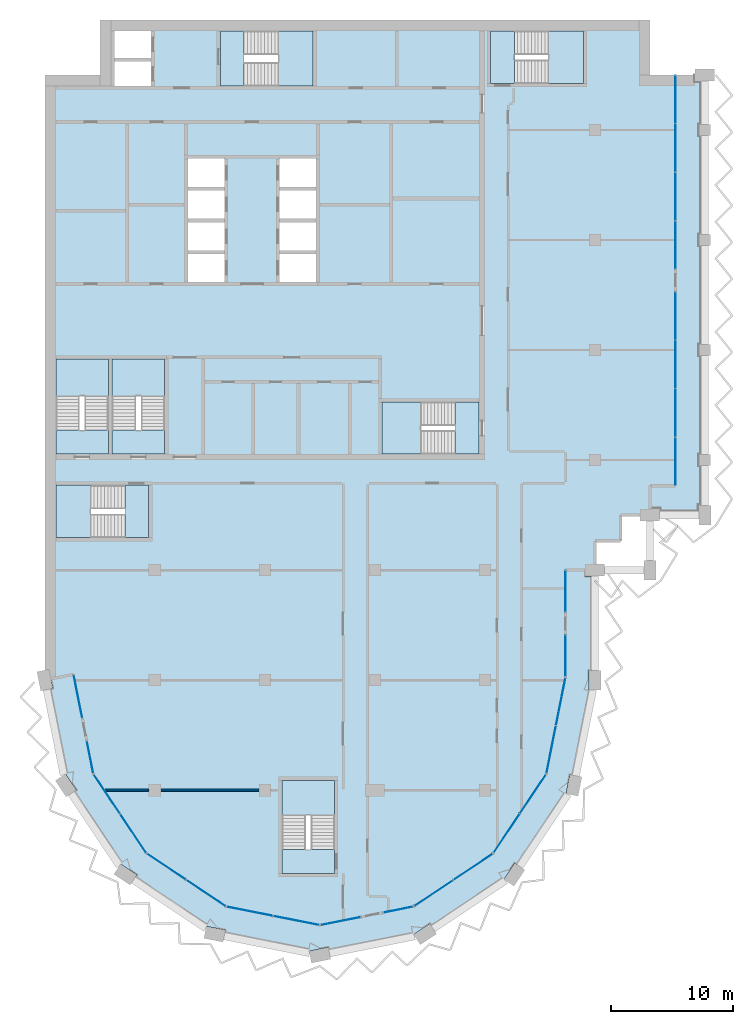
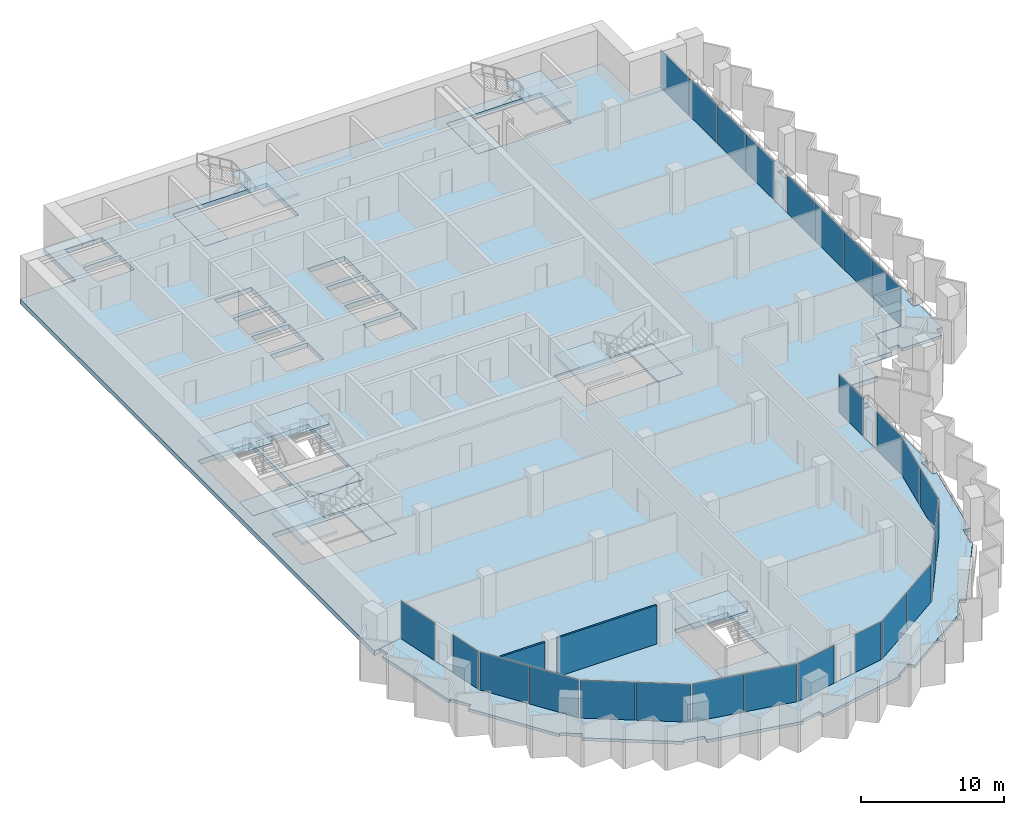
# One storey, part 6 of 16: 26 plates, 17 slabs, 2 walls, 21 elements without a shape of their own.
"""IFC4 building model written with IfcOpenShell, lengths in metres."""

from ifc_helpers import new_model, si_unit, direction, frame, frame_2d, origin, origin_2d, place, context, subcontext, project, spatial, polyline, rectangle, outline, extrude, material, layer, layer_set, type_object, element, aggregate, save


model = new_model("IFC4")

# Units and contexts
model_context = context("Model", 3, precision=1e-05, world=origin(), true_north=direction((0.0, 1.0)))
body_context = subcontext(model_context, "Body", "Model", "MODEL_VIEW")
ifc_project = project(units=[si_unit("LENGTHUNIT", "METRE"), si_unit("AREAUNIT", "SQUARE_METRE"), si_unit("VOLUMEUNIT", "CUBIC_METRE"), si_unit("PLANEANGLEUNIT", "RADIAN"), si_unit("MASSUNIT", "GRAM", prefix="KILO")], contexts=[model_context])

# Site, building, storey
site_placement = place(None, origin())
site = spatial("IfcSite", under=ifc_project, at=site_placement, CompositionType="ELEMENT")
building_placement = place(site_placement, origin())
building = spatial("IfcBuilding", under=site, at=building_placement, Name="Hunhe Ridgeline Campus", CompositionType="ELEMENT")
storey_placement = place(building_placement, frame((0.0, 0.0, 235.5)))
storey = spatial("IfcBuildingStorey", under=building, at=storey_placement, Name="L60", CompositionType="ELEMENT", Elevation=235.5)

# Curtain wall, plate
ifc_material_1 = material(Name="Aluminium 6063", Category="aluminium")
curtain_wall_type_1 = type_object("IfcCurtainWallType", Name="Curtain wall CW-5", PredefinedType="NOTDEFINED", material=ifc_material_1)
curtain_wall_1_placement = place(storey_placement, origin())
curtain_wall_1 = element("IfcCurtainWall", 1, at=curtain_wall_1_placement, inside=storey, type_object=curtain_wall_type_1, Name="Curtain wall 01", PredefinedType="NOTDEFINED")
ifc_material_2 = material(Name="Low-e laminated glass", Category="glass")
ifc_layer_1 = layer(ifc_material_2, 0.028076171875)
ifc_layer_set_1 = layer_set([ifc_layer_1], Name="Curtain wall glass panel 28 low-e laminated")
plate_type = type_object("IfcPlateType", Name="Curtain wall glass panel 28 low-e laminated", PredefinedType="CURTAIN_PANEL", material=ifc_layer_set_1)
plate_1_placement = place(storey_placement, frame((2.7158203125, 43.65380859375, 0.0), z_axis=(0.0, 0.0, 1.0), x_axis=(0.195095326561, -0.980784284924, 0.0)))
plate_1 = element("IfcPlate", 2, at=plate_1_placement, type_object=plate_type, Name="CW-5 panel 1", PredefinedType="CURTAIN_PANEL", context=body_context, shape_type="SweptSolid", body=[
    extrude(rectangle(XDim=3.560791015625, YDim=0.028076171875, at=origin_2d()), origin(), (0.0, 0.0, 1.0), 3.22998046875),
])
aggregate(curtain_wall_1, [plate_1])

curtain_wall_2_placement = place(storey_placement, origin())
curtain_wall_2 = element("IfcCurtainWall", 3, at=curtain_wall_2_placement, inside=storey, type_object=curtain_wall_type_1, Name="Curtain wall 02", PredefinedType="NOTDEFINED")
plate_2_placement = place(storey_placement, frame((3.701171875, 38.699951171875, 0.0), z_axis=(0.0, 0.0, 1.0), x_axis=(0.195095265587, -0.980784297053, 0.0)))
plate_2 = element("IfcPlate", 4, at=plate_2_placement, type_object=plate_type, Name="CW-5 panel 1", PredefinedType="CURTAIN_PANEL", context=body_context, shape_type="SweptSolid", body=[
    extrude(rectangle(XDim=2.660888671875, YDim=0.028076171875, at=origin_2d()), origin(), (0.0, 0.0, 1.0), 3.22998046875),
])
aggregate(curtain_wall_2, [plate_2])

# Curtain wall, plates
curtain_wall_3_placement = place(storey_placement, origin())
curtain_wall_3 = element("IfcCurtainWall", 5, at=curtain_wall_3_placement, inside=storey, type_object=curtain_wall_type_1, Name="Curtain wall 03", PredefinedType="NOTDEFINED")
plate_3_placement = place(storey_placement, frame((5.07080078125, 35.685546875, 0.0), z_axis=(0.0, 0.0, 1.0), x_axis=(0.555570274596, -0.831469584522, 0.0)))
plate_3 = element("IfcPlate", 6, at=plate_3_placement, type_object=plate_type, Name="CW-5 panel 1", PredefinedType="CURTAIN_PANEL", context=body_context, shape_type="SweptSolid", body=[
    extrude(rectangle(XDim=3.806884765625, YDim=0.028076171875, at=origin_2d()), origin(), (0.0, 0.0, 1.0), 3.22998046875),
])
plate_4_placement = place(storey_placement, frame((7.224609375, 32.4619140625, 0.0), z_axis=(0.0, 0.0, 1.0), x_axis=(0.555570274596, -0.831469584522, 0.0)))
plate_4 = element("IfcPlate", 7, at=plate_4_placement, type_object=plate_type, Name="CW-5 panel 2", PredefinedType="CURTAIN_PANEL", context=body_context, shape_type="SweptSolid", body=[
    extrude(rectangle(XDim=3.806884765625, YDim=0.028076171875, at=origin_2d()), origin(), (0.0, 0.0, 1.0), 3.22998046875),
])
aggregate(curtain_wall_3, [plate_3, plate_4])

curtain_wall_4_placement = place(storey_placement, origin())
curtain_wall_4 = element("IfcCurtainWall", 8, at=curtain_wall_4_placement, inside=storey, type_object=curtain_wall_type_1, Name="Curtain wall 04", PredefinedType="NOTDEFINED")
plate_5_placement = place(storey_placement, frame((9.9619140625, 29.724609375, 0.0), z_axis=(0.0, 0.0, 1.0), x_axis=(0.831469584522, -0.555570274596, 0.0)))
plate_5 = element("IfcPlate", 9, at=plate_5_placement, type_object=plate_type, Name="CW-5 panel 1", PredefinedType="CURTAIN_PANEL", context=body_context, shape_type="SweptSolid", body=[
    extrude(rectangle(XDim=3.806884765625, YDim=0.028076171875, at=origin_2d()), origin(), (0.0, 0.0, 1.0), 3.22998046875),
])
plate_6_placement = place(storey_placement, frame((13.185546875, 27.57080078125, 0.0), z_axis=(0.0, 0.0, 1.0), x_axis=(0.831469584522, -0.555570274596, 0.0)))
plate_6 = element("IfcPlate", 10, at=plate_6_placement, type_object=plate_type, Name="CW-5 panel 2", PredefinedType="CURTAIN_PANEL", context=body_context, shape_type="SweptSolid", body=[
    extrude(rectangle(XDim=3.806884765625, YDim=0.028076171875, at=origin_2d()), origin(), (0.0, 0.0, 1.0), 3.22998046875),
])
aggregate(curtain_wall_4, [plate_5, plate_6])

curtain_wall_5_placement = place(storey_placement, origin())
curtain_wall_5 = element("IfcCurtainWall", 11, at=curtain_wall_5_placement, inside=storey, type_object=curtain_wall_type_1, Name="Curtain wall 05", PredefinedType="NOTDEFINED")
plate_7_placement = place(storey_placement, frame((16.761962890625, 26.08935546875, 0.0), z_axis=(0.0, 0.0, 1.0), x_axis=(0.980785275326, -0.195090347539, 0.0)))
plate_7 = element("IfcPlate", 12, at=plate_7_placement, type_object=plate_type, Name="CW-5 panel 1", PredefinedType="CURTAIN_PANEL", context=body_context, shape_type="SweptSolid", body=[
    extrude(rectangle(XDim=3.806884765625, YDim=0.028076171875, at=origin_2d()), origin(), (0.0, 0.0, 1.0), 3.22998046875),
])
plate_8_placement = place(storey_placement, frame((20.564453125, 25.3330078125, 0.0), z_axis=(0.0, 0.0, 1.0), x_axis=(0.980785275326, -0.195090347539, 0.0)))
plate_8 = element("IfcPlate", 13, at=plate_8_placement, type_object=plate_type, Name="CW-5 panel 2", PredefinedType="CURTAIN_PANEL", context=body_context, shape_type="SweptSolid", body=[
    extrude(rectangle(XDim=3.806884765625, YDim=0.028076171875, at=origin_2d()), origin(), (0.0, 0.0, 1.0), 3.22998046875),
])
aggregate(curtain_wall_5, [plate_7, plate_8])

# Curtain wall, plate
curtain_wall_6_placement = place(storey_placement, origin())
curtain_wall_6 = element("IfcCurtainWall", 14, at=curtain_wall_6_placement, inside=storey, type_object=curtain_wall_type_1, Name="Curtain wall 06", PredefinedType="NOTDEFINED")
plate_9_placement = place(storey_placement, frame((24.19775390625, 25.28564453125, 0.0), z_axis=(0.0, 0.0, 1.0), x_axis=(0.980785270791, 0.19509037034, 0.0)))
plate_9 = element("IfcPlate", 15, at=plate_9_placement, type_object=plate_type, Name="CW-5 panel 1", PredefinedType="CURTAIN_PANEL", context=body_context, shape_type="SweptSolid", body=[
    extrude(rectangle(XDim=3.322021484375, YDim=0.028076171875, at=origin_2d()), origin(), (0.0, 0.0, 1.0), 3.22998046875),
])
aggregate(curtain_wall_6, [plate_9])

curtain_wall_7_placement = place(storey_placement, origin())
curtain_wall_7 = element("IfcCurtainWall", 16, at=curtain_wall_7_placement, inside=storey, type_object=curtain_wall_type_1, Name="Curtain wall 07", PredefinedType="NOTDEFINED")
plate_10_placement = place(storey_placement, frame((28.917236328125, 26.224609375, 0.0), z_axis=(0.0, 0.0, 1.0), x_axis=(0.980785242091, 0.195090514627, 0.0)))
plate_10 = element("IfcPlate", 17, at=plate_10_placement, type_object=plate_type, Name="CW-5 panel 1", PredefinedType="CURTAIN_PANEL", context=body_context, shape_type="SweptSolid", body=[
    extrude(rectangle(XDim=2.421875, YDim=0.028076171875, at=origin_2d()), origin(), (0.0, 0.0, 1.0), 3.22998046875),
])
aggregate(curtain_wall_7, [plate_10])

# Curtain wall, plates
curtain_wall_8_placement = place(storey_placement, origin())
curtain_wall_8 = element("IfcCurtainWall", 18, at=curtain_wall_8_placement, inside=storey, type_object=curtain_wall_type_1, Name="Curtain wall 08", PredefinedType="NOTDEFINED")
plate_11_placement = place(storey_placement, frame((31.814453125, 27.57080078125, 0.0), z_axis=(0.0, 0.0, 1.0), x_axis=(0.831469584522, 0.555570274596, 0.0)))
plate_11 = element("IfcPlate", 19, at=plate_11_placement, type_object=plate_type, Name="CW-5 panel 1", PredefinedType="CURTAIN_PANEL", context=body_context, shape_type="SweptSolid", body=[
    extrude(rectangle(XDim=3.806884765625, YDim=0.028076171875, at=origin_2d()), origin(), (0.0, 0.0, 1.0), 3.22998046875),
])
plate_12_placement = place(storey_placement, frame((35.0380859375, 29.724609375, 0.0), z_axis=(0.0, 0.0, 1.0), x_axis=(0.831469584522, 0.555570274596, 0.0)))
plate_12 = element("IfcPlate", 20, at=plate_12_placement, type_object=plate_type, Name="CW-5 panel 2", PredefinedType="CURTAIN_PANEL", context=body_context, shape_type="SweptSolid", body=[
    extrude(rectangle(XDim=3.806884765625, YDim=0.028076171875, at=origin_2d()), origin(), (0.0, 0.0, 1.0), 3.22998046875),
])
aggregate(curtain_wall_8, [plate_11, plate_12])

curtain_wall_9_placement = place(storey_placement, origin())
curtain_wall_9 = element("IfcCurtainWall", 21, at=curtain_wall_9_placement, inside=storey, type_object=curtain_wall_type_1, Name="Curtain wall 09", PredefinedType="NOTDEFINED")
plate_13_placement = place(storey_placement, frame((37.775390625, 32.4619140625, 0.0), z_axis=(0.0, 0.0, 1.0), x_axis=(0.555570274596, 0.831469584522, 0.0)))
plate_13 = element("IfcPlate", 22, at=plate_13_placement, type_object=plate_type, Name="CW-5 panel 1", PredefinedType="CURTAIN_PANEL", context=body_context, shape_type="SweptSolid", body=[
    extrude(rectangle(XDim=3.806884765625, YDim=0.028076171875, at=origin_2d()), origin(), (0.0, 0.0, 1.0), 3.22998046875),
])
plate_14_placement = place(storey_placement, frame((39.92919921875, 35.685546875, 0.0), z_axis=(0.0, 0.0, 1.0), x_axis=(0.555570274596, 0.831469584522, 0.0)))
plate_14 = element("IfcPlate", 23, at=plate_14_placement, type_object=plate_type, Name="CW-5 panel 2", PredefinedType="CURTAIN_PANEL", context=body_context, shape_type="SweptSolid", body=[
    extrude(rectangle(XDim=3.806884765625, YDim=0.028076171875, at=origin_2d()), origin(), (0.0, 0.0, 1.0), 3.22998046875),
])
aggregate(curtain_wall_9, [plate_13, plate_14])

curtain_wall_10_placement = place(storey_placement, origin())
curtain_wall_10 = element("IfcCurtainWall", 24, at=curtain_wall_10_placement, inside=storey, type_object=curtain_wall_type_1, Name="Curtain wall 10", PredefinedType="NOTDEFINED")
plate_15_placement = place(storey_placement, frame((41.42236328125, 39.321044921875, 0.0), z_axis=(0.0, 0.0, 1.0), x_axis=(0.195090299215, 0.980785284939, 0.0)))
plate_15 = element("IfcPlate", 25, at=plate_15_placement, type_object=plate_type, Name="CW-5 panel 1", PredefinedType="CURTAIN_PANEL", context=body_context, shape_type="SweptSolid", body=[
    extrude(rectangle(XDim=3.927490234375, YDim=0.028076171875, at=origin_2d()), origin(), (0.0, 0.0, 1.0), 3.22998046875),
])
plate_16_placement = place(storey_placement, frame((42.2021484375, 43.24169921875, 0.0), z_axis=(0.0, 0.0, 1.0), x_axis=(0.195090299215, 0.980785284939, 0.0)))
plate_16 = element("IfcPlate", 26, at=plate_16_placement, type_object=plate_type, Name="CW-5 panel 2", PredefinedType="CURTAIN_PANEL", context=body_context, shape_type="SweptSolid", body=[
    extrude(rectangle(XDim=3.927490234375, YDim=0.028076171875, at=origin_2d()), origin(), (0.0, 0.0, 1.0), 3.22998046875),
])
aggregate(curtain_wall_10, [plate_15, plate_16])

# Curtain wall, plate
curtain_wall_type_2 = type_object("IfcCurtainWallType", Name="Curtain wall CW-1", PredefinedType="NOTDEFINED", material=ifc_material_1)
curtain_wall_11_placement = place(storey_placement, origin())
curtain_wall_11 = element("IfcCurtainWall", 27, at=curtain_wall_11_placement, inside=storey, type_object=curtain_wall_type_2, Name="Curtain wall 11", PredefinedType="NOTDEFINED")
plate_17_placement = place(storey_placement, frame((42.59912109375, 46.9775390625, 0.0), z_axis=(0.0, 0.0, 1.0), x_axis=(1.9241592e-05, 0.999999999815, 0.0)))
plate_17 = element("IfcPlate", 28, at=plate_17_placement, type_object=plate_type, Name="CW-1 panel 1", PredefinedType="CURTAIN_PANEL", context=body_context, shape_type="SweptSolid", body=[
    extrude(rectangle(XDim=3.362060546875, YDim=0.028076171875, at=origin_2d()), origin(), (0.0, 0.0, 1.0), 3.239990234375),
])
aggregate(curtain_wall_11, [plate_17])

curtain_wall_12_placement = place(storey_placement, origin())
curtain_wall_12 = element("IfcCurtainWall", 29, at=curtain_wall_12_placement, inside=storey, type_object=curtain_wall_type_2, Name="Curtain wall 12", PredefinedType="NOTDEFINED")
plate_18_placement = place(storey_placement, frame((42.59912109375, 52.259521484375, 0.0), z_axis=(0.0, 0.0, 1.0), x_axis=(1.9241592e-05, 0.999999999815, 0.0)))
plate_18 = element("IfcPlate", 30, at=plate_18_placement, type_object=plate_type, Name="CW-1 panel 1", PredefinedType="CURTAIN_PANEL", context=body_context, shape_type="SweptSolid", body=[
    extrude(rectangle(XDim=3.362060546875, YDim=0.028076171875, at=origin_2d()), origin(), (0.0, 0.0, 1.0), 3.239990234375),
])
aggregate(curtain_wall_12, [plate_18])

# Curtain wall, plates
curtain_wall_13_placement = place(storey_placement, origin())
curtain_wall_13 = element("IfcCurtainWall", 31, at=curtain_wall_13_placement, inside=storey, type_object=curtain_wall_type_2, Name="Curtain wall 13", PredefinedType="NOTDEFINED")
plate_19_placement = place(storey_placement, frame((51.59912109375, 62.9033203125, 0.0), z_axis=(0.0, 0.0, 1.0), x_axis=(0.0, 1.0, 0.0)))
plate_19 = element("IfcPlate", 32, at=plate_19_placement, type_object=plate_type, Name="CW-1 panel 1", PredefinedType="CURTAIN_PANEL", context=body_context, shape_type="SweptSolid", body=[
    extrude(rectangle(XDim=3.884765625, YDim=0.028076171875, at=origin_2d()), origin(), (0.0, 0.0, 1.0), 3.239990234375),
])
plate_20_placement = place(storey_placement, frame((51.59912109375, 66.86328125, 0.0), z_axis=(0.0, 0.0, 1.0), x_axis=(0.0, 1.0, 0.0)))
plate_20 = element("IfcPlate", 33, at=plate_20_placement, type_object=plate_type, Name="CW-1 panel 2", PredefinedType="CURTAIN_PANEL", context=body_context, shape_type="SweptSolid", body=[
    extrude(rectangle(XDim=3.914794921875, YDim=0.028076171875, at=origin_2d()), origin(), (0.0, 0.0, 1.0), 3.239990234375),
])
plate_21_placement = place(storey_placement, frame((51.59912109375, 70.838134765625, 0.0), z_axis=(0.0, 0.0, 1.0), x_axis=(0.0, 1.0, 0.0)))
plate_21 = element("IfcPlate", 34, at=plate_21_placement, type_object=plate_type, Name="CW-1 panel 3", PredefinedType="CURTAIN_PANEL", context=body_context, shape_type="SweptSolid", body=[
    extrude(rectangle(XDim=3.914794921875, YDim=0.028076171875, at=origin_2d()), origin(), (0.0, 0.0, 1.0), 3.239990234375),
])
plate_22_placement = place(storey_placement, frame((51.59912109375, 74.798095703125, 0.0), z_axis=(0.0, 0.0, 1.0), x_axis=(0.0, 1.0, 0.0)))
plate_22 = element("IfcPlate", 35, at=plate_22_placement, type_object=plate_type, Name="CW-1 panel 4", PredefinedType="CURTAIN_PANEL", context=body_context, shape_type="SweptSolid", body=[
    extrude(rectangle(XDim=3.884765625, YDim=0.028076171875, at=origin_2d()), origin(), (0.0, 0.0, 1.0), 3.239990234375),
])
aggregate(curtain_wall_13, [plate_19, plate_20, plate_21, plate_22])

curtain_wall_14_placement = place(storey_placement, origin())
curtain_wall_14 = element("IfcCurtainWall", 36, at=curtain_wall_14_placement, inside=storey, type_object=curtain_wall_type_2, Name="Curtain wall 14", PredefinedType="NOTDEFINED")
plate_23_placement = place(storey_placement, frame((51.59912109375, 80.60302734375, 0.0), z_axis=(0.0, 0.0, 1.0), x_axis=(0.0, 1.0, 0.0)))
plate_23 = element("IfcPlate", 37, at=plate_23_placement, type_object=plate_type, Name="CW-1 panel 1", PredefinedType="CURTAIN_PANEL", context=body_context, shape_type="SweptSolid", body=[
    extrude(rectangle(XDim=3.884765625, YDim=0.028076171875, at=origin_2d()), origin(), (0.0, 0.0, 1.0), 3.239990234375),
])
plate_24_placement = place(storey_placement, frame((51.59912109375, 84.562744140625, 0.0), z_axis=(0.0, 0.0, 1.0), x_axis=(0.0, 1.0, 0.0)))
plate_24 = element("IfcPlate", 38, at=plate_24_placement, type_object=plate_type, Name="CW-1 panel 2", PredefinedType="CURTAIN_PANEL", context=body_context, shape_type="SweptSolid", body=[
    extrude(rectangle(XDim=3.914794921875, YDim=0.028076171875, at=origin_2d()), origin(), (0.0, 0.0, 1.0), 3.239990234375),
])
plate_25_placement = place(storey_placement, frame((51.59912109375, 88.53759765625, 0.0), z_axis=(0.0, 0.0, 1.0), x_axis=(0.0, 1.0, 0.0)))
plate_25 = element("IfcPlate", 39, at=plate_25_placement, type_object=plate_type, Name="CW-1 panel 3", PredefinedType="CURTAIN_PANEL", context=body_context, shape_type="SweptSolid", body=[
    extrude(rectangle(XDim=3.914794921875, YDim=0.028076171875, at=origin_2d()), origin(), (0.0, 0.0, 1.0), 3.239990234375),
])
plate_26_placement = place(storey_placement, frame((51.59912109375, 92.49755859375, 0.0), z_axis=(0.0, 0.0, 1.0), x_axis=(0.0, 1.0, 0.0)))
plate_26 = element("IfcPlate", 40, at=plate_26_placement, type_object=plate_type, Name="CW-1 panel 4", PredefinedType="CURTAIN_PANEL", context=body_context, shape_type="SweptSolid", body=[
    extrude(rectangle(XDim=3.884765625, YDim=0.028076171875, at=origin_2d()), origin(), (0.0, 0.0, 1.0), 3.239990234375),
])
aggregate(curtain_wall_14, [plate_23, plate_24, plate_25, plate_26])

# Slabs
ifc_material_3 = material(Name="Concrete C40", Category="concrete")
ifc_layer_2 = layer(ifc_material_3, 0.39990234375)
ifc_layer_set_2 = layer_set([ifc_layer_2], Name="Floor slab 400 Concrete C40")
slab_type_1 = type_object("IfcSlabType", Name="Floor slab 400 Concrete C40", PredefinedType="FLOOR", material=ifc_layer_set_2)
slab_1_placement = place(storey_placement, frame((0.0, 0.0, -0.39990234375)))
element("IfcSlab", 41, at=slab_1_placement, inside=storey, type_object=slab_type_1, Name="Floor slab L60 1", PredefinedType="FLOOR", context=body_context, shape_type="SweptSolid", body=[
    extrude(outline(polyline([(36.678955078125, 30.821044921875), (41.025634765625, 37.326416015625), (42.59912109375, 45.236572265625), (42.59912109375, 54.00048828125), (44.9990234375, 54.0009765625), (44.999267578125, 56.400634765625), (47.09912109375, 56.40087890625), (47.099609375, 58.5009765625), (49.4990234375, 58.5009765625), (49.49951171875, 60.90087890625), (51.59912109375, 60.90087890625), (51.59912109375, 94.5), (49.5, 94.5), (49.5, 99.0), (4.5, 99.0), (4.5, 94.5), (0.0, 94.5), (0.0, 45.0009765625), (2.354736328125, 45.46875), (3.974365234375, 37.326416015625), (8.321044921875, 30.821044921875), (14.826416015625, 26.474365234375), (22.5, 24.947998046875), (30.173583984375, 26.474365234375), (36.678955078125, 30.821044921875)]), holes=[polyline([(36.449951171875, 98.10009765625), (36.449951171875, 93.800048828125), (44.050048828125, 93.800048828125), (44.050048828125, 98.10009765625), (36.449951171875, 98.10009765625)]), polyline([(27.60009765625, 63.5), (35.5, 63.5), (35.5, 67.75), (27.60009765625, 67.75), (27.60009765625, 63.5)]), polyline([(19.39990234375, 36.800048828125), (19.39990234375, 29.199951171875), (23.699951171875, 29.199951171875), (23.699951171875, 36.800048828125), (19.39990234375, 36.800048828125)]), polyline([(22.199951171875, 87.64990234375), (19.199951171875, 87.64990234375), (19.199951171875, 85.35009765625), (22.199951171875, 85.35009765625), (22.199951171875, 87.64990234375)]), polyline([(22.199951171875, 77.550048828125), (22.199951171875, 79.85009765625), (19.199951171875, 79.85009765625), (19.199951171875, 77.550048828125), (22.199951171875, 77.550048828125)]), polyline([(19.199951171875, 85.050048828125), (19.199951171875, 82.75), (22.199951171875, 82.75), (22.199951171875, 85.050048828125), (19.199951171875, 85.050048828125)]), polyline([(19.199951171875, 80.14990234375), (22.199951171875, 80.14990234375), (22.199951171875, 82.449951171875), (19.199951171875, 82.449951171875), (19.199951171875, 80.14990234375)]), polyline([(14.35009765625, 98.10009765625), (14.35009765625, 93.60009765625), (21.949951171875, 93.60009765625), (21.949951171875, 98.10009765625), (14.35009765625, 98.10009765625)]), polyline([(14.699951171875, 87.64990234375), (11.699951171875, 87.64990234375), (11.699951171875, 85.35009765625), (14.699951171875, 85.35009765625), (14.699951171875, 87.64990234375)]), polyline([(14.699951171875, 77.550048828125), (14.699951171875, 79.85009765625), (11.699951171875, 79.85009765625), (11.699951171875, 77.550048828125), (14.699951171875, 77.550048828125)]), polyline([(11.699951171875, 85.050048828125), (11.699951171875, 82.75), (14.699951171875, 82.75), (14.699951171875, 85.050048828125), (11.699951171875, 85.050048828125)]), polyline([(11.699951171875, 80.14990234375), (14.699951171875, 80.14990234375), (14.699951171875, 82.449951171875), (11.699951171875, 82.449951171875), (11.699951171875, 80.14990234375)]), polyline([(9.800048828125, 63.5), (9.800048828125, 71.25), (5.5, 71.25), (5.5, 63.5), (9.800048828125, 63.5)]), polyline([(8.699951171875, 93.60009765625), (8.699951171875, 95.60009765625), (5.699951171875, 95.60009765625), (5.699951171875, 93.60009765625), (8.699951171875, 93.60009765625)]), polyline([(5.699951171875, 95.89990234375), (8.699951171875, 95.89990234375), (8.699951171875, 98.10009765625), (5.699951171875, 98.10009765625), (5.699951171875, 95.89990234375)]), polyline([(0.89990234375, 60.949951171875), (0.89990234375, 56.64990234375), (8.5, 56.64990234375), (8.5, 60.949951171875), (0.89990234375, 60.949951171875)]), polyline([(5.199951171875, 71.25), (0.89990234375, 71.25), (0.89990234375, 63.5), (5.199951171875, 63.5), (5.199951171875, 71.25)])]), origin(), (0.0, 0.0, 1.0), 0.39990234375),
])
ifc_layer_3 = layer(ifc_material_3, 0.25)
ifc_layer_set_3 = layer_set([ifc_layer_3], Name="Loggia slab 250 Concrete C40")
slab_type_2 = type_object("IfcSlabType", Name="Loggia slab 250 Concrete C40", PredefinedType="FLOOR", material=ifc_layer_set_3)
slab_2_placement = place(storey_placement, frame((0.0, 0.0, -0.25)))
element("IfcSlab", 42, at=slab_2_placement, inside=storey, type_object=slab_type_2, Name="Loggia slab 1", PredefinedType="FLOOR", context=body_context, shape_type="SweptSolid", body=[
    extrude(outline(polyline([(30.173828125, 26.473388671875), (22.5, 24.947021484375), (14.826171875, 26.473388671875), (8.3203125, 30.8203125), (3.973388671875, 37.326171875), (2.35400390625, 45.46826171875), (0.490478515625, 45.09765625), (0.646484375, 44.31298828125), (0.156005859375, 44.21533203125), (1.543701171875, 37.239013671875), (1.68408203125, 37.33251953125), (2.572998046875, 36.002197265625), (2.1572265625, 35.724365234375), (6.109130859375, 29.81005859375), (6.20263671875, 29.9501953125), (7.532958984375, 29.061279296875), (7.25537109375, 28.645751953125), (13.169677734375, 24.69384765625), (13.20263671875, 24.859130859375), (14.771728515625, 24.547119140625), (14.67431640625, 24.056640625), (21.650634765625, 22.6689453125), (21.617919921875, 22.834228515625), (23.18701171875, 23.146484375), (23.28466796875, 22.656005859375), (30.260986328125, 24.043701171875), (30.16748046875, 24.18408203125), (31.497802734375, 25.072998046875), (31.775634765625, 24.6572265625), (37.68994140625, 28.609130859375), (37.5498046875, 28.70263671875), (38.438720703125, 30.032958984375), (38.854248046875, 29.75537109375), (42.80615234375, 35.669677734375), (42.640869140625, 35.70263671875), (42.952880859375, 37.271728515625), (43.443359375, 37.17431640625), (44.8408203125, 44.199951171875), (44.5, 44.199951171875), (44.5, 45.800048828125), (45.0, 45.800048828125), (45.0, 53.5), (44.199951171875, 53.5), (44.199951171875, 54.0), (42.60009765625, 54.0), (42.60009765625, 45.236328125), (41.026611328125, 37.326171875), (36.6796875, 30.8203125), (30.173828125, 26.473388671875)])), origin(), (0.0, 0.0, 1.0), 0.25),
])
slab_3_placement = place(storey_placement, frame((0.0, 0.0, -0.25)))
element("IfcSlab", 43, at=slab_3_placement, inside=storey, type_object=slab_type_2, Name="Loggia slab 2", PredefinedType="FLOOR", context=body_context, shape_type="SweptSolid", body=[
    extrude(outline(polyline([(49.5, 59.0), (50.300048828125, 59.0), (50.300048828125, 58.5), (53.5, 58.5), (53.5, 59.300048828125), (54.0, 59.300048828125), (54.0, 62.550048828125), (53.550048828125, 62.550048828125), (53.550048828125, 63.449951171875), (54.0, 63.449951171875), (54.0, 71.550048828125), (53.550048828125, 71.550048828125), (53.550048828125, 72.449951171875), (54.0, 72.449951171875), (54.0, 80.550048828125), (53.550048828125, 80.550048828125), (53.550048828125, 81.449951171875), (54.0, 81.449951171875), (54.0, 89.550048828125), (53.550048828125, 89.550048828125), (53.550048828125, 90.449951171875), (54.0, 90.449951171875), (54.0, 94.0), (53.199951171875, 94.0), (53.199951171875, 94.5), (51.60009765625, 94.5), (51.60009765625, 60.89990234375), (49.5, 60.89990234375), (49.5, 59.0)])), origin(), (0.0, 0.0, 1.0), 0.25),
])

# Stair, slab
stair_type = type_object("IfcStairType", Name="Reinforced concrete dog-leg stair 1950 Concrete C40", PredefinedType="HALF_TURN_STAIR", material=ifc_material_3)
stair_1_placement = place(storey_placement, origin())
stair_1 = element("IfcStair", 44, at=stair_1_placement, inside=storey, type_object=stair_type, Name="L60 S1", PredefinedType="HALF_TURN_STAIR")
ifc_layer_4 = layer(ifc_material_3, 0.199951171875)
ifc_layer_set_4 = layer_set([ifc_layer_4], Name="Reinforced concrete stair landing 200 Concrete C40")
slab_type_3 = type_object("IfcSlabType", Name="Reinforced concrete stair landing 200 Concrete C40", PredefinedType="LANDING", material=ifc_layer_set_4)
slab_4_placement = place(storey_placement, frame((0.0, 0.0, 1.64990234375)))
slab_4 = element("IfcSlab", 45, at=slab_4_placement, type_object=slab_type_3, Name="ST1 landing 1", PredefinedType="LANDING", context=body_context, shape_type="SweptSolid", body=[
    extrude(outline(polyline([(19.10009765625, 93.60009765625), (21.949951171875, 93.60009765625), (21.949951171875, 98.10009765625), (19.10009765625, 98.10009765625), (19.10009765625, 93.60009765625)])), origin(), (0.0, 0.0, 1.0), 0.2001953125),
])
aggregate(stair_1, [slab_4])

# Slab
slab_5_placement = place(storey_placement, frame((0.0, 0.0, -0.199951171875)))
element("IfcSlab", 46, at=slab_5_placement, inside=storey, type_object=slab_type_3, Name="L60 stair S1 floor landing", PredefinedType="LANDING", context=body_context, shape_type="SweptSolid", body=[
    extrude(outline(polyline([(14.35009765625, 93.60009765625), (16.300048828125, 93.60009765625), (16.300048828125, 98.10009765625), (14.35009765625, 98.10009765625), (14.35009765625, 93.60009765625)])), origin(), (0.0, 0.0, 1.0), 0.199951171875),
])

# Stair, slab
stair_2_placement = place(storey_placement, origin())
stair_2 = element("IfcStair", 47, at=stair_2_placement, inside=storey, type_object=stair_type, Name="L60 S2", PredefinedType="HALF_TURN_STAIR")
slab_6_placement = place(storey_placement, frame((0.0, 0.0, 1.64990234375)))
slab_6 = element("IfcSlab", 48, at=slab_6_placement, type_object=slab_type_3, Name="ST2 landing 1", PredefinedType="LANDING", context=body_context, shape_type="SweptSolid", body=[
    extrude(outline(polyline([(30.75, 67.75), (27.60009765625, 67.75), (27.60009765625, 63.5), (30.75, 63.5), (30.75, 67.75)])), origin(), (0.0, 0.0, 1.0), 0.2001953125),
])
aggregate(stair_2, [slab_6])

# Slab
slab_7_placement = place(storey_placement, frame((0.0, 0.0, -0.199951171875)))
element("IfcSlab", 49, at=slab_7_placement, inside=storey, type_object=slab_type_3, Name="L60 stair S2 floor landing", PredefinedType="LANDING", context=body_context, shape_type="SweptSolid", body=[
    extrude(outline(polyline([(35.5, 67.75), (33.550048828125, 67.75), (33.550048828125, 63.5), (35.5, 63.5), (35.5, 67.75)])), origin(), (0.0, 0.0, 1.0), 0.199951171875),
])

# Stair, slab
stair_3_placement = place(storey_placement, origin())
stair_3 = element("IfcStair", 50, at=stair_3_placement, inside=storey, type_object=stair_type, Name="L60 S3", PredefinedType="HALF_TURN_STAIR")
slab_8_placement = place(storey_placement, frame((0.0, 0.0, 1.64990234375)))
slab_8 = element("IfcSlab", 51, at=slab_8_placement, type_object=slab_type_3, Name="ST3 landing 1", PredefinedType="LANDING", context=body_context, shape_type="SweptSolid", body=[
    extrude(outline(polyline([(5.199951171875, 68.25), (5.199951171875, 71.25), (0.89990234375, 71.25), (0.89990234375, 68.25), (5.199951171875, 68.25)])), origin(), (0.0, 0.0, 1.0), 0.2001953125),
])
aggregate(stair_3, [slab_8])

# Slab
slab_9_placement = place(storey_placement, frame((0.0, 0.0, -0.199951171875)))
element("IfcSlab", 52, at=slab_9_placement, inside=storey, type_object=slab_type_3, Name="L60 stair S3 floor landing", PredefinedType="LANDING", context=body_context, shape_type="SweptSolid", body=[
    extrude(outline(polyline([(5.199951171875, 63.5), (5.199951171875, 65.449951171875), (0.89990234375, 65.449951171875), (0.89990234375, 63.5), (5.199951171875, 63.5)])), origin(), (0.0, 0.0, 1.0), 0.199951171875),
])

# Stair, slab
stair_4_placement = place(storey_placement, origin())
stair_4 = element("IfcStair", 53, at=stair_4_placement, inside=storey, type_object=stair_type, Name="L60 S4", PredefinedType="HALF_TURN_STAIR")
slab_10_placement = place(storey_placement, frame((0.0, 0.0, 1.64990234375)))
slab_10 = element("IfcSlab", 54, at=slab_10_placement, type_object=slab_type_3, Name="ST4 landing 1", PredefinedType="LANDING", context=body_context, shape_type="SweptSolid", body=[
    extrude(outline(polyline([(9.800048828125, 68.25), (9.800048828125, 71.25), (5.5, 71.25), (5.5, 68.25), (9.800048828125, 68.25)])), origin(), (0.0, 0.0, 1.0), 0.2001953125),
])
aggregate(stair_4, [slab_10])

# Slab
slab_11_placement = place(storey_placement, frame((0.0, 0.0, -0.199951171875)))
element("IfcSlab", 55, at=slab_11_placement, inside=storey, type_object=slab_type_3, Name="L60 stair S4 floor landing", PredefinedType="LANDING", context=body_context, shape_type="SweptSolid", body=[
    extrude(outline(polyline([(9.800048828125, 63.5), (9.800048828125, 65.449951171875), (5.5, 65.449951171875), (5.5, 63.5), (9.800048828125, 63.5)])), origin(), (0.0, 0.0, 1.0), 0.199951171875),
])

# Stair, slab
stair_5_placement = place(storey_placement, origin())
stair_5 = element("IfcStair", 56, at=stair_5_placement, inside=storey, type_object=stair_type, Name="L60 E1", PredefinedType="HALF_TURN_STAIR")
slab_12_placement = place(storey_placement, frame((0.0, 0.0, 1.64990234375)))
slab_12 = element("IfcSlab", 57, at=slab_12_placement, type_object=slab_type_3, Name="ST5 landing 1", PredefinedType="LANDING", context=body_context, shape_type="SweptSolid", body=[
    extrude(outline(polyline([(41.199951171875, 93.800048828125), (44.050048828125, 93.800048828125), (44.050048828125, 98.10009765625), (41.199951171875, 98.10009765625), (41.199951171875, 93.800048828125)])), origin(), (0.0, 0.0, 1.0), 0.2001953125),
])
aggregate(stair_5, [slab_12])

# Slab
slab_13_placement = place(storey_placement, frame((0.0, 0.0, -0.199951171875)))
element("IfcSlab", 58, at=slab_13_placement, inside=storey, type_object=slab_type_3, Name="L60 stair E1 floor landing", PredefinedType="LANDING", context=body_context, shape_type="SweptSolid", body=[
    extrude(outline(polyline([(36.449951171875, 93.800048828125), (38.39990234375, 93.800048828125), (38.39990234375, 98.10009765625), (36.449951171875, 98.10009765625), (36.449951171875, 93.800048828125)])), origin(), (0.0, 0.0, 1.0), 0.199951171875),
])

# Stair, slab
stair_6_placement = place(storey_placement, origin())
stair_6 = element("IfcStair", 59, at=stair_6_placement, inside=storey, type_object=stair_type, Name="L60 W3", PredefinedType="HALF_TURN_STAIR")
slab_14_placement = place(storey_placement, frame((0.0, 0.0, 1.64990234375)))
slab_14 = element("IfcSlab", 60, at=slab_14_placement, type_object=slab_type_3, Name="ST9 landing 1", PredefinedType="LANDING", context=body_context, shape_type="SweptSolid", body=[
    extrude(outline(polyline([(23.699951171875, 33.949951171875), (23.699951171875, 36.800048828125), (19.39990234375, 36.800048828125), (19.39990234375, 33.949951171875), (23.699951171875, 33.949951171875)])), origin(), (0.0, 0.0, 1.0), 0.2001953125),
])
aggregate(stair_6, [slab_14])

# Slab
slab_15_placement = place(storey_placement, frame((0.0, 0.0, -0.199951171875)))
element("IfcSlab", 61, at=slab_15_placement, inside=storey, type_object=slab_type_3, Name="L60 stair W3 floor landing", PredefinedType="LANDING", context=body_context, shape_type="SweptSolid", body=[
    extrude(outline(polyline([(23.699951171875, 29.199951171875), (23.699951171875, 31.14990234375), (19.39990234375, 31.14990234375), (19.39990234375, 29.199951171875), (23.699951171875, 29.199951171875)])), origin(), (0.0, 0.0, 1.0), 0.199951171875),
])

# Stair, slab
stair_7_placement = place(storey_placement, origin())
stair_7 = element("IfcStair", 62, at=stair_7_placement, inside=storey, type_object=stair_type, Name="L60 W2", PredefinedType="HALF_TURN_STAIR")
slab_16_placement = place(storey_placement, frame((0.0, 0.0, 1.64990234375)))
slab_16 = element("IfcSlab", 63, at=slab_16_placement, type_object=slab_type_3, Name="ST12 landing 1", PredefinedType="LANDING", context=body_context, shape_type="SweptSolid", body=[
    extrude(outline(polyline([(3.75, 60.949951171875), (0.89990234375, 60.949951171875), (0.89990234375, 56.64990234375), (3.75, 56.64990234375), (3.75, 60.949951171875)])), origin(), (0.0, 0.0, 1.0), 0.2001953125),
])
aggregate(stair_7, [slab_16])

# Slab
slab_17_placement = place(storey_placement, frame((0.0, 0.0, -0.199951171875)))
element("IfcSlab", 64, at=slab_17_placement, inside=storey, type_object=slab_type_3, Name="L60 stair W2 floor landing", PredefinedType="LANDING", context=body_context, shape_type="SweptSolid", body=[
    extrude(outline(polyline([(8.5, 60.949951171875), (6.550048828125, 60.949951171875), (6.550048828125, 56.64990234375), (8.5, 56.64990234375), (8.5, 60.949951171875)])), origin(), (0.0, 0.0, 1.0), 0.199951171875),
])

# Walls
ifc_material_4 = material(Name="Gypsum board partition")
ifc_layer_5 = layer(ifc_material_4, 0.14990234375)
ifc_layer_set_5 = layer_set([ifc_layer_5], Name="Room partition 150 gypsum board on steel studs")
wall_type = type_object("IfcWallType", Name="Room partition 150 gypsum board on steel studs", PredefinedType="PARTITIONING", material=ifc_layer_set_5)
wall_1_placement = place(storey_placement, frame((4.925537109375, 36.0, 0.0), z_axis=(0.0, 0.0, 1.0), x_axis=(1.0, 0.0, 0.0)))
element("IfcWall", 65, at=wall_1_placement, inside=storey, type_object=wall_type, Name="F-L60-wall-002", PredefinedType="PARTITIONING", context=body_context, shape_type="SweptSolid", body=[
    extrude(rectangle(XDim=3.574462890625, YDim=0.14990234375, at=frame_2d((1.787109375, 0.0))), origin(), (0.0, 0.0, 1.0), 3.300048828125),
])
wall_2_placement = place(storey_placement, frame((9.5, 36.0, 0.0), z_axis=(0.0, 0.0, 1.0), x_axis=(1.0, 0.0, 0.0)))
element("IfcWall", 66, at=wall_2_placement, inside=storey, type_object=wall_type, Name="F-L60-wall-003", PredefinedType="PARTITIONING", context=body_context, shape_type="SweptSolid", body=[
    extrude(rectangle(XDim=8.0, YDim=0.14990234375, at=frame_2d((4.0, 0.0))), origin(), (0.0, 0.0, 1.0), 3.300048828125),
])

save(model, "model.ifc")
